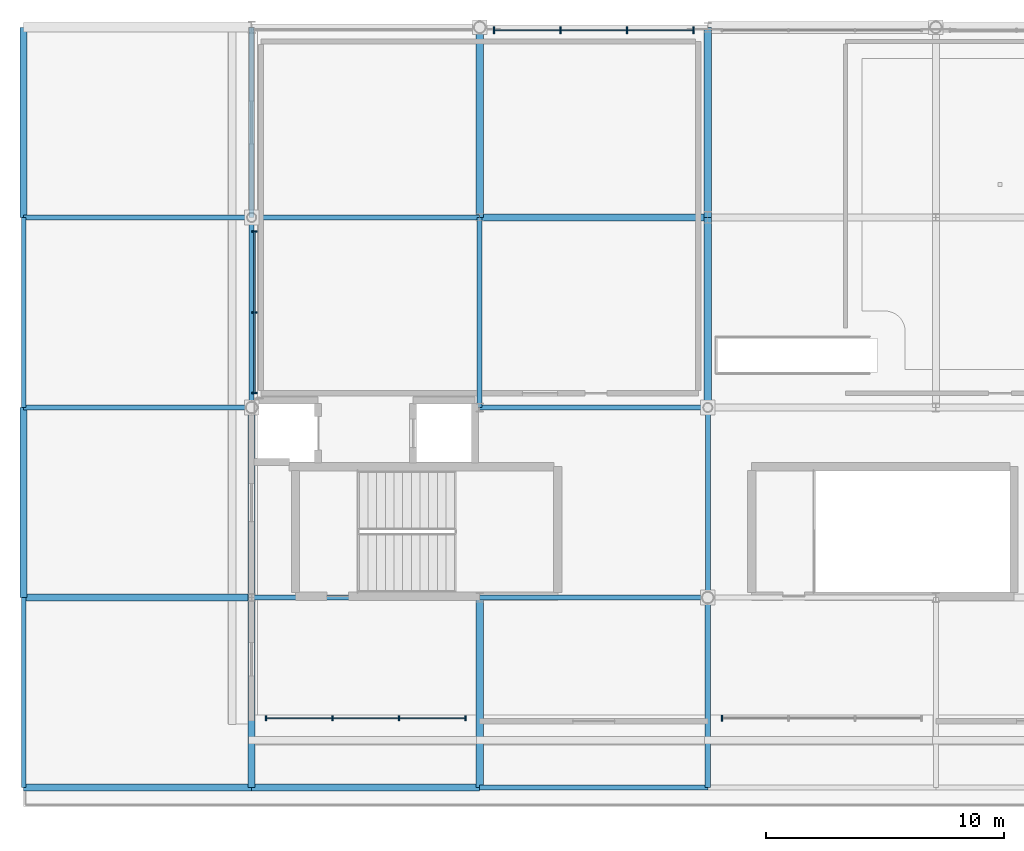
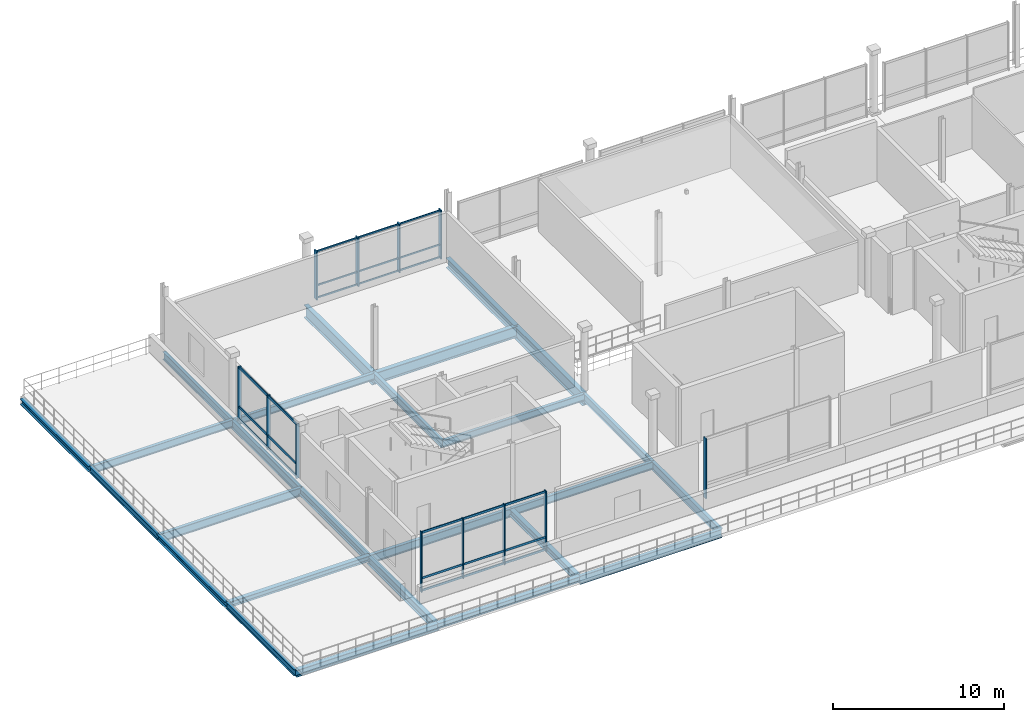
# One storey, part 5 of 26: 26 beams, 21 members, 4 elements without a shape of their own.
"""IFC4 building model written with IfcOpenShell, lengths in metres."""

import ifcopenshell
import ifcopenshell.guid

model = None  # the IFC model being written
_history = None  # IfcOwnerHistory: only IFC2X3 demands one
_inside = {}  # id of a spatial element -> (the spatial element, [elements in it])
_under = {}  # id of a project, library or spatial element -> (it, [spatial elements below it])
_declared = {}  # id of a project -> (the project, [libraries it declares])
_typed = {}  # id of a type object -> (the type object, [elements of that type])
_made_of = {}  # id of a material, layer set ... -> (it, [elements and type objects made of it])


def new_model(schema):
    """Start an empty IFC model of exactly this schema.

    Asked for "IFC4X3", IfcOpenShell would pick the latest addendum, in which some entities
    have other attributes; the version numbers below select the first issue.
    IFC2X3 requires an IfcOwnerHistory on every rooted entity: one is made here for all.
    """
    global model, _history
    if schema == "IFC4X3":
        model = ifcopenshell.file(schema_version=(4, 3, 0, 0))
    else:
        model = ifcopenshell.file(schema=schema)
    _inside.clear()
    _under.clear()
    _declared.clear()
    _typed.clear()
    _made_of.clear()
    _history = None
    if model.schema == "IFC2X3":
        org = make("IfcOrganization", Name="unknown")
        user = make(
            "IfcPersonAndOrganization",
            ThePerson=make("IfcPerson", FamilyName="unknown"),
            TheOrganization=org,
        )
        app = make(
            "IfcApplication",
            ApplicationDeveloper=org,
            Version="unknown",
            ApplicationFullName="unknown",
            ApplicationIdentifier="unknown",
        )
        _history = make(
            "IfcOwnerHistory",
            OwningUser=user,
            OwningApplication=app,
            ChangeAction="ADDED",
            CreationDate=0,
        )
    return model


def make(cls, **values):
    """One entity of the class cls with the attributes given. An attribute that is None is left unset."""
    return model.create_entity(
        cls, **{name: value for name, value in values.items() if value is not None}
    )


def rooted(cls, **values):
    """An entity with a GlobalId (a new one), such as an element, a storey or a relation."""
    return make(cls, GlobalId=ifcopenshell.guid.new(), OwnerHistory=_history, **values)


def si_unit(unit_type, name, prefix=None):
    """IfcSIUnit, for example si_unit("LENGTHUNIT", "METRE", prefix="MILLI")."""
    return make("IfcSIUnit", UnitType=unit_type, Prefix=prefix, Name=name)


def assignment(units):
    """IfcUnitAssignment: the units of a project."""
    return None if units is None else make("IfcUnitAssignment", Units=units)


def point(xyz):
    """IfcCartesianPoint."""
    return None if xyz is None else make("IfcCartesianPoint", Coordinates=xyz)


def direction(xyz):
    """IfcDirection."""
    return None if xyz is None else make("IfcDirection", DirectionRatios=xyz)


def frame(location, z_axis=None, x_axis=None):
    """IfcAxis2Placement3D, a coordinate frame: its origin and axes. An axis left out is left unset."""
    return make(
        "IfcAxis2Placement3D",
        Location=point(location),
        Axis=direction(z_axis),
        RefDirection=direction(x_axis),
    )


def frame_2d(location, x_axis=None):
    """IfcAxis2Placement2D, a coordinate frame in the plane: its origin and x axis."""
    return make(
        "IfcAxis2Placement2D", Location=point(location), RefDirection=direction(x_axis)
    )


def origin():
    """The frame at (0, 0, 0) with its axes left unset."""
    return frame((0.0, 0.0, 0.0))


def origin_2d():
    """The frame at (0, 0) in the plane with its x axis left unset."""
    return frame_2d((0.0, 0.0))


def place(relative_to, where):
    """IfcLocalPlacement: puts the frame where relative to a parent placement (None: the world)."""
    return make(
        "IfcLocalPlacement", PlacementRelTo=relative_to, RelativePlacement=where
    )


def context(
    kind, dimensions, precision=None, world=None, true_north=None, identifier=None
):
    """IfcGeometricRepresentationContext, for example the 3D "Model" context."""
    return make(
        "IfcGeometricRepresentationContext",
        ContextIdentifier=identifier,
        ContextType=kind,
        CoordinateSpaceDimension=dimensions,
        Precision=precision,
        WorldCoordinateSystem=world,
        TrueNorth=true_north,
    )


def subcontext(parent, identifier, kind, view, scale=None):
    """IfcGeometricRepresentationSubContext, for example "Body" below "Model"."""
    return make(
        "IfcGeometricRepresentationSubContext",
        ContextIdentifier=identifier,
        ContextType=kind,
        ParentContext=parent,
        TargetScale=scale,
        TargetView=view,
    )


def project(units=None, contexts=None):
    """IfcProject with its units and contexts."""
    return rooted(
        "IfcProject",
        Name="project",
        RepresentationContexts=contexts,
        UnitsInContext=assignment(units),
    )


def spatial(cls, under=None, at=None, **own):
    """A site, building, storey or space (cls), placed at a placement, below another one or the project."""
    s = rooted(cls, ObjectPlacement=at, **own)
    if under is not None:
        _under.setdefault(under.id(), (under, []))[1].append(s)
    return s


def profile(cls, at=None, kind="AREA", **sizes):
    """A parametric profile (cls). Its sizes go by their IFC names, for example OverallWidth=200.0."""
    return make(cls, ProfileType=kind, Position=at, **sizes)


def rectangle(**sizes):
    """IfcRectangleProfileDef."""
    return profile("IfcRectangleProfileDef", **sizes)


def i_section(**sizes):
    """IfcIShapeProfileDef."""
    return profile("IfcIShapeProfileDef", **sizes)


def extrude(swept, where, along, depth):
    """IfcExtrudedAreaSolid: the profile swept, set in the frame where, extruded along a direction by depth."""
    return make(
        "IfcExtrudedAreaSolid",
        SweptArea=swept,
        Position=where,
        ExtrudedDirection=direction(along),
        Depth=depth,
    )


def shape(context_of_items, identifier, shape_type, items):
    """IfcShapeRepresentation: the items that make up one representation, for example the "Body"."""
    return make(
        "IfcShapeRepresentation",
        ContextOfItems=context_of_items,
        RepresentationIdentifier=identifier,
        RepresentationType=shape_type,
        Items=items,
    )


def material(Name=None, Category=None):
    """IfcMaterial."""
    return make("IfcMaterial", Name=Name, Category=Category)


def material_profile(
    of_material, cross_section, Name=None, Category=None, Priority=None
):
    """IfcMaterialProfile: a cross section and its material."""
    return make(
        "IfcMaterialProfile",
        Name=Name,
        Material=of_material,
        Profile=cross_section,
        Priority=Priority,
        Category=Category,
    )


def profile_set(profiles, Name=None, composite=None):
    """IfcMaterialProfileSet."""
    return make(
        "IfcMaterialProfileSet",
        Name=Name,
        MaterialProfiles=profiles,
        CompositeProfile=composite,
    )


def made_of(thing, what):
    """Note that an element or type object is made of a material, layer set ...; save() writes the relation."""
    if what is not None:
        _made_of.setdefault(what.id(), (what, []))[1].append(thing)
    return thing


def type_object(cls, material=None, **own):
    """A type object (cls), such as IfcWallType, which elements share."""
    return made_of(rooted(cls, **own), material)


def element(
    cls,
    number,
    at=None,
    inside=None,
    cuts=None,
    type_object=None,
    material=None,
    context=None,
    identifier="Body",
    shape_type=None,
    held_by="IfcProductDefinitionShape",
    body=None,
    shapes=None,
    **own,
):
    """One element of the class cls, such as IfcWall. Its Tag is "e" and its number.

    at: its placement. inside: the storey or other place that contains it. cuts: it is an
    opening in that element (IfcRelVoidsElement). A single representation is given by context,
    identifier, shape_type and body (its items); several are given by shapes. held_by: the class
    of the entity that holds the representations. save() writes the other relations.
    """
    e = rooted(cls, Tag="e%d" % number, ObjectPlacement=at, **own)
    if body is not None:
        shapes = [shape(context, identifier, shape_type, body)]
    if shapes is not None:
        e.Representation = make(held_by, Representations=shapes)
    if inside is not None:
        _inside.setdefault(inside.id(), (inside, []))[1].append(e)
    if cuts is not None:
        rooted(
            "IfcRelVoidsElement", RelatingBuildingElement=cuts, RelatedOpeningElement=e
        )
    if type_object is not None:
        _typed.setdefault(type_object.id(), (type_object, []))[1].append(e)
    return made_of(e, material)


def aggregate(whole, parts):
    """IfcRelAggregates: a whole, such as a stair, and the parts it consists of."""
    return rooted("IfcRelAggregates", RelatingObject=whole, RelatedObjects=parts)


def save(model, path):
    """Write the relations noted so far, then the file.

    IfcRelAggregates (storeys below a building ...), IfcRelContainedInSpatialStructure (elements
    in a storey), IfcRelDefinesByType, IfcRelAssociatesMaterial and IfcRelDeclares: one each for
    every whole, place, type object, material and project.
    """
    for whole, parts in _under.values():
        aggregate(whole, parts)
    for where, things in _inside.values():
        rooted(
            "IfcRelContainedInSpatialStructure",
            RelatedElements=things,
            RelatingStructure=where,
        )
    for kind, things in _typed.values():
        rooted("IfcRelDefinesByType", RelatedObjects=things, RelatingType=kind)
    for what, things in _made_of.values():
        rooted("IfcRelAssociatesMaterial", RelatedObjects=things, RelatingMaterial=what)
    for by, libraries in _declared.values():
        rooted("IfcRelDeclares", RelatingContext=by, RelatedDefinitions=libraries)
    model.write(path)


model = new_model("IFC4")

# Units and contexts
model_context = context("Model", 3, precision=1e-05, world=origin(), true_north=direction((0.0, 1.0)))
body_context = subcontext(model_context, "Body", "Model", "MODEL_VIEW")
ifc_project = project(units=[si_unit("LENGTHUNIT", "METRE"), si_unit("AREAUNIT", "SQUARE_METRE"), si_unit("VOLUMEUNIT", "CUBIC_METRE"), si_unit("PLANEANGLEUNIT", "RADIAN"), si_unit("MASSUNIT", "GRAM", prefix="KILO")], contexts=[model_context])

# Site, building, storey
site_placement = place(None, origin())
site = spatial("IfcSite", under=ifc_project, at=site_placement, CompositionType="ELEMENT")
building_placement = place(site_placement, origin())
building = spatial("IfcBuilding", under=site, at=building_placement, Name="Danafjord Basin Convention Centre", CompositionType="ELEMENT")
storey_placement = place(building_placement, frame((0.0, 0.0, 24.89990234375)))
storey = spatial("IfcBuildingStorey", under=building, at=storey_placement, Name="L05", CompositionType="ELEMENT", Elevation=24.89990234375)

# Beams
ifc_material_1 = material(Name="Steel S355", Category="steel")
ifc_material_profile_1 = material_profile(ifc_material_1, i_section(OverallWidth=0.300048828125, OverallDepth=0.389892578125, WebThickness=0.010986328125, FlangeThickness=0.01904296875, FilletRadius=0.027099609375, at=origin_2d()), Name="HEA 400")
ifc_profile_set_1 = profile_set([ifc_material_profile_1], Name="Steel S355")
beam_type_1 = type_object("IfcBeamType", Name="BEAM-BM-HEA400", PredefinedType="BEAM", material=ifc_profile_set_1)
beam_1_placement = place(storey_placement, frame((0.0, 16.0, -0.434814453125), z_axis=(1.0, 0.0, 0.0), x_axis=(0.0, 1.0, 0.0)))
element("IfcBeam", 1, at=beam_1_placement, inside=storey, type_object=beam_type_1, Name="L05 girder BM-HEA400", PredefinedType="BEAM", context=body_context, shape_type="SweptSolid", body=[
    extrude(i_section(OverallWidth=0.300048828125, OverallDepth=0.389892578125, WebThickness=0.010986328125, FlangeThickness=0.01904296875, FilletRadius=0.027099609375, at=origin_2d()), origin(), (0.0, 0.0, 1.0), 9.60009765625),
])
beam_2_placement = place(storey_placement, frame((9.60009765625, 8.0, -0.434814453125), z_axis=(1.0, 0.0, 0.0), x_axis=(0.0, 1.0, 0.0)))
element("IfcBeam", 2, at=beam_2_placement, inside=storey, type_object=beam_type_1, Name="L05 girder BM-HEA400", PredefinedType="BEAM", context=body_context, shape_type="SweptSolid", body=[
    extrude(i_section(OverallWidth=0.300048828125, OverallDepth=0.389892578125, WebThickness=0.010986328125, FlangeThickness=0.01904296875, FilletRadius=0.027099609375, at=origin_2d()), origin(), (0.0, 0.0, 1.0), 9.599853515625),
])
ifc_material_profile_2 = material_profile(ifc_material_1, i_section(OverallWidth=0.300048828125, OverallDepth=0.489990234375, WebThickness=0.011962890625, FlangeThickness=0.02294921875, FilletRadius=0.027099609375, at=origin_2d()), Name="HEA 500")
ifc_profile_set_2 = profile_set([ifc_material_profile_2], Name="Steel S355")
beam_type_2 = type_object("IfcBeamType", Name="BEAM-BM-HEA500", PredefinedType="BEAM", material=ifc_profile_set_2)
beam_3_placement = place(storey_placement, frame((0.0, 8.0, -0.48486328125), z_axis=(1.0, 0.0, 0.0), x_axis=(0.0, 1.0, 0.0)))
element("IfcBeam", 3, at=beam_3_placement, inside=storey, type_object=beam_type_2, Name="L05 girder BM-HEA500", PredefinedType="BEAM", context=body_context, shape_type="SweptSolid", body=[
    extrude(i_section(OverallWidth=0.300048828125, OverallDepth=0.489990234375, WebThickness=0.011962890625, FlangeThickness=0.02294921875, FilletRadius=0.027099609375, at=origin_2d()), origin(), (0.0, 0.0, 1.0), 9.60009765625),
])
ifc_material_profile_3 = material_profile(ifc_material_1, i_section(OverallWidth=0.300048828125, OverallDepth=0.5, WebThickness=0.014404296875, FlangeThickness=0.028076171875, FilletRadius=0.027099609375, at=origin_2d()), Name="HEB 500")
ifc_profile_set_3 = profile_set([ifc_material_profile_3], Name="Steel S355")
beam_type_3 = type_object("IfcBeamType", Name="BEAM-BM-HEB500", PredefinedType="BEAM", material=ifc_profile_set_3)
for number, where, z_axis, x_axis, name in (
    (4, (9.60009765625, 16.0, -0.5), (0.0, 1.0, 0.0), (-1.0, 0.0, 0.0), "L05 transverse girder BM-HEB500"),
    (5, (19.199951171875, 8.0, -0.5), (0.0, 1.0, 0.0), (-1.0, 0.0, 0.0), "L05 transverse girder BM-HEB500"),
):
    element("IfcBeam", number, at=place(storey_placement, frame(where, z_axis=z_axis, x_axis=x_axis)), inside=storey, type_object=beam_type_3, Name=name, PredefinedType="BEAM", context=body_context, shape_type="SweptSolid", body=[
        extrude(i_section(OverallWidth=0.300048828125, OverallDepth=0.5, WebThickness=0.014404296875, FlangeThickness=0.028076171875, FilletRadius=0.027099609375, at=origin_2d()), origin(), (0.0, 0.0, 1.0), 8.0),
    ])
ifc_material_profile_4 = material_profile(ifc_material_1, i_section(OverallWidth=0.300048828125, OverallDepth=0.60009765625, WebThickness=0.015380859375, FlangeThickness=0.030029296875, FilletRadius=0.027099609375, at=origin_2d()), Name="HEB 600")
ifc_profile_set_4 = profile_set([ifc_material_profile_4], Name="Steel S355")
beam_type_4 = type_object("IfcBeamType", Name="BEAM-BM-HEB600", PredefinedType="BEAM", material=ifc_profile_set_4)
beam_4_placement = place(storey_placement, frame((9.60009765625, 8.0, -0.5498046875), z_axis=(0.0, 1.0, 0.0), x_axis=(-1.0, 0.0, 0.0)))
element("IfcBeam", 6, at=beam_4_placement, inside=storey, type_object=beam_type_4, Name="L05 transverse girder BM-HEB600", PredefinedType="BEAM", context=body_context, shape_type="SweptSolid", body=[
    extrude(i_section(OverallWidth=0.300048828125, OverallDepth=0.60009765625, WebThickness=0.015380859375, FlangeThickness=0.030029296875, FilletRadius=0.027099609375, at=origin_2d()), origin(), (0.0, 0.0, 1.0), 8.0),
])
ifc_material_profile_5 = material_profile(ifc_material_1, i_section(OverallWidth=0.300048828125, OverallDepth=0.699951171875, WebThickness=0.01708984375, FlangeThickness=0.031982421875, FilletRadius=0.027099609375, at=origin_2d()), Name="HEB 700")
ifc_profile_set_5 = profile_set([ifc_material_profile_5], Name="Steel S355")
beam_type_5 = type_object("IfcBeamType", Name="BEAM-BM-HEB700", PredefinedType="BEAM", material=ifc_profile_set_5)
beam_5_placement = place(storey_placement, frame((28.800048828125, 32.0, -0.599853515625), z_axis=(0.0, 1.0, 0.0), x_axis=(-1.0, 0.0, 0.0)))
element("IfcBeam", 7, at=beam_5_placement, inside=storey, type_object=beam_type_5, Name="L05 transverse girder BM-HEB700", PredefinedType="BEAM", context=body_context, shape_type="SweptSolid", body=[
    extrude(i_section(OverallWidth=0.300048828125, OverallDepth=0.699951171875, WebThickness=0.01708984375, FlangeThickness=0.031982421875, FilletRadius=0.027099609375, at=origin_2d()), origin(), (0.0, 0.0, 1.0), 8.0),
])
ifc_material_profile_6 = material_profile(ifc_material_1, i_section(OverallWidth=0.300048828125, OverallDepth=0.800048828125, WebThickness=0.017578125, FlangeThickness=0.032958984375, FilletRadius=0.030029296875, at=origin_2d()), Name="HEB 800")
ifc_profile_set_6 = profile_set([ifc_material_profile_6], Name="Steel S355")
beam_type_6 = type_object("IfcBeamType", Name="BEAM-BM-HEB800", PredefinedType="BEAM", material=ifc_profile_set_6)
beam_6_placement = place(storey_placement, frame((19.199951171875, 32.0, -0.64990234375), z_axis=(1.0, 0.0, 0.0), x_axis=(0.0, 1.0, 0.0)))
element("IfcBeam", 8, at=beam_6_placement, inside=storey, type_object=beam_type_6, Name="L05 girder BM-HEB800", PredefinedType="BEAM", context=body_context, shape_type="SweptSolid", body=[
    extrude(i_section(OverallWidth=0.300048828125, OverallDepth=0.800048828125, WebThickness=0.017578125, FlangeThickness=0.032958984375, FilletRadius=0.030029296875, at=origin_2d()), origin(), (0.0, 0.0, 1.0), 9.60009765625),
])
ifc_material_profile_7 = material_profile(ifc_material_1, i_section(OverallWidth=0.300048828125, OverallDepth=0.89990234375, WebThickness=0.0185546875, FlangeThickness=0.034912109375, FilletRadius=0.030029296875, at=origin_2d()), Name="HEB 900")
ifc_profile_set_7 = profile_set([ifc_material_profile_7], Name="Steel S355")
beam_type_7 = type_object("IfcBeamType", Name="BEAM-BM-HEB900", PredefinedType="BEAM", material=ifc_profile_set_7)
for number, where, z_axis, x_axis, name in (
    (9, (19.199951171875, 32.0, -0.699951171875), (0.0, 1.0, 0.0), (-1.0, 0.0, 0.0), "L05 transverse girder BM-HEB900"),
    (10, (28.800048828125, 24.0, -0.699951171875), (0.0, 1.0, 0.0), (-1.0, 0.0, 0.0), "L05 transverse girder BM-HEB900"),
):
    element("IfcBeam", number, at=place(storey_placement, frame(where, z_axis=z_axis, x_axis=x_axis)), inside=storey, type_object=beam_type_7, Name=name, PredefinedType="BEAM", context=body_context, shape_type="SweptSolid", body=[
        extrude(i_section(OverallWidth=0.300048828125, OverallDepth=0.89990234375, WebThickness=0.0185546875, FlangeThickness=0.034912109375, FilletRadius=0.030029296875, at=origin_2d()), origin(), (0.0, 0.0, 1.0), 8.0),
    ])
ifc_material_profile_8 = material_profile(ifc_material_1, i_section(OverallWidth=0.199951171875, OverallDepth=0.5, WebThickness=0.01025390625, FlangeThickness=0.01611328125, FilletRadius=0.02099609375, at=origin_2d()), Name="IPE 500")
ifc_profile_set_8 = profile_set([ifc_material_profile_8], Name="Steel S355")
beam_type_8 = type_object("IfcBeamType", Name="BEAM-BM-IPE500", PredefinedType="BEAM", material=ifc_profile_set_8)
beam_7_placement = place(storey_placement, frame((9.60009765625, 32.0, -0.5), z_axis=(1.0, 0.0, 0.0), x_axis=(0.0, 1.0, 0.0)))
element("IfcBeam", 11, at=beam_7_placement, inside=storey, type_object=beam_type_8, Name="L05 girder BM-IPE500", PredefinedType="BEAM", context=body_context, shape_type="SweptSolid", body=[
    extrude(i_section(OverallWidth=0.199951171875, OverallDepth=0.5, WebThickness=0.01025390625, FlangeThickness=0.01611328125, FilletRadius=0.02099609375, at=origin_2d()), origin(), (0.0, 0.0, 1.0), 9.599853515625),
])
beam_8_placement = place(storey_placement, frame((19.199951171875, 24.0, -0.5), z_axis=(1.0, 0.0, 0.0), x_axis=(0.0, 1.0, 0.0)))
element("IfcBeam", 12, at=beam_8_placement, inside=storey, type_object=beam_type_8, Name="L05 girder BM-IPE500", PredefinedType="BEAM", context=body_context, shape_type="SweptSolid", body=[
    extrude(i_section(OverallWidth=0.199951171875, OverallDepth=0.5, WebThickness=0.01025390625, FlangeThickness=0.01611328125, FilletRadius=0.02099609375, at=origin_2d()), origin(), (0.0, 0.0, 1.0), 9.60009765625),
])
ifc_material_profile_9 = material_profile(ifc_material_1, i_section(OverallWidth=0.2099609375, OverallDepth=0.550048828125, WebThickness=0.010986328125, FlangeThickness=0.01708984375, FilletRadius=0.02392578125, at=origin_2d()), Name="IPE 550")
ifc_profile_set_9 = profile_set([ifc_material_profile_9], Name="Steel S355")
beam_type_9 = type_object("IfcBeamType", Name="BEAM-BM-IPE550", PredefinedType="BEAM", material=ifc_profile_set_9)
for number, where, z_axis, x_axis, name in (
    (13, (0.0, 32.0, -0.514892578125), (1.0, 0.0, 0.0), (0.0, 1.0, 0.0), "L05 girder BM-IPE550"),
    (14, (19.199951171875, 16.0, -0.52490234375), (1.0, 0.0, 0.0), (0.0, 1.0, 0.0), "L05 girder BM-IPE550"),
):
    element("IfcBeam", number, at=place(storey_placement, frame(where, z_axis=z_axis, x_axis=x_axis)), inside=storey, type_object=beam_type_9, Name=name, PredefinedType="BEAM", context=body_context, shape_type="SweptSolid", body=[
        extrude(i_section(OverallWidth=0.2099609375, OverallDepth=0.550048828125, WebThickness=0.010986328125, FlangeThickness=0.01708984375, FilletRadius=0.02392578125, at=origin_2d()), origin(), (0.0, 0.0, 1.0), 9.60009765625),
    ])
for number, where, z_axis, x_axis, name in (
    (15, (9.60009765625, 32.0, -0.52490234375), (0.0, 1.0, 0.0), (-1.0, 0.0, 0.0), "L05 transverse girder BM-IPE550"),
    (16, (19.199951171875, 24.0, -0.52490234375), (0.0, 1.0, 0.0), (-1.0, 0.0, 0.0), "L05 transverse girder BM-IPE550"),
    (17, (28.800048828125, 16.0, -0.52490234375), (0.0, 1.0, 0.0), (-1.0, 0.0, 0.0), "L05 transverse girder BM-IPE550"),
):
    element("IfcBeam", number, at=place(storey_placement, frame(where, z_axis=z_axis, x_axis=x_axis)), inside=storey, type_object=beam_type_9, Name=name, PredefinedType="BEAM", context=body_context, shape_type="SweptSolid", body=[
        extrude(i_section(OverallWidth=0.2099609375, OverallDepth=0.550048828125, WebThickness=0.010986328125, FlangeThickness=0.01708984375, FilletRadius=0.02392578125, at=origin_2d()), origin(), (0.0, 0.0, 1.0), 8.0),
    ])
ifc_material_profile_10 = material_profile(ifc_material_1, i_section(OverallWidth=0.219970703125, OverallDepth=0.60009765625, WebThickness=0.011962890625, FlangeThickness=0.01904296875, FilletRadius=0.02392578125, at=origin_2d()), Name="IPE 600")
ifc_profile_set_10 = profile_set([ifc_material_profile_10], Name="Steel S355")
beam_type_10 = type_object("IfcBeamType", Name="BEAM-BM-IPE600", PredefinedType="BEAM", material=ifc_profile_set_10)
beam_9_placement = place(storey_placement, frame((0.0, 24.0, -0.539794921875), z_axis=(1.0, 0.0, 0.0), x_axis=(0.0, 1.0, 0.0)))
element("IfcBeam", 18, at=beam_9_placement, inside=storey, type_object=beam_type_10, Name="L05 girder BM-IPE600", PredefinedType="BEAM", context=body_context, shape_type="SweptSolid", body=[
    extrude(i_section(OverallWidth=0.219970703125, OverallDepth=0.60009765625, WebThickness=0.011962890625, FlangeThickness=0.01904296875, FilletRadius=0.02392578125, at=origin_2d()), origin(), (0.0, 0.0, 1.0), 9.60009765625),
])
beam_10_placement = place(storey_placement, frame((9.60009765625, 16.0, -0.5498046875), z_axis=(1.0, 0.0, 0.0), x_axis=(0.0, 1.0, 0.0)))
element("IfcBeam", 19, at=beam_10_placement, inside=storey, type_object=beam_type_10, Name="L05 girder BM-IPE600", PredefinedType="BEAM", context=body_context, shape_type="SweptSolid", body=[
    extrude(i_section(OverallWidth=0.219970703125, OverallDepth=0.60009765625, WebThickness=0.011962890625, FlangeThickness=0.01904296875, FilletRadius=0.02392578125, at=origin_2d()), origin(), (0.0, 0.0, 1.0), 9.599853515625),
])
beam_11_placement = place(storey_placement, frame((19.199951171875, 8.0, -0.539794921875), z_axis=(1.0, 0.0, 0.0), x_axis=(0.0, 1.0, 0.0)))
element("IfcBeam", 20, at=beam_11_placement, inside=storey, type_object=beam_type_10, Name="L05 girder BM-IPE600", PredefinedType="BEAM", context=body_context, shape_type="SweptSolid", body=[
    extrude(i_section(OverallWidth=0.219970703125, OverallDepth=0.60009765625, WebThickness=0.011962890625, FlangeThickness=0.01904296875, FilletRadius=0.02392578125, at=origin_2d()), origin(), (0.0, 0.0, 1.0), 9.60009765625),
])
for number, where, z_axis, x_axis, name in (
    (21, (9.60009765625, 24.0, -0.5498046875), (0.0, 1.0, 0.0), (-1.0, 0.0, 0.0), "L05 transverse girder BM-IPE600"),
    (22, (28.800048828125, 8.0, -0.5498046875), (0.0, 1.0, 0.0), (-1.0, 0.0, 0.0), "L05 transverse girder BM-IPE600"),
):
    element("IfcBeam", number, at=place(storey_placement, frame(where, z_axis=z_axis, x_axis=x_axis)), inside=storey, type_object=beam_type_10, Name=name, PredefinedType="BEAM", context=body_context, shape_type="SweptSolid", body=[
        extrude(i_section(OverallWidth=0.219970703125, OverallDepth=0.60009765625, WebThickness=0.011962890625, FlangeThickness=0.01904296875, FilletRadius=0.02392578125, at=origin_2d()), origin(), (0.0, 0.0, 1.0), 8.0),
    ])
ifc_material_profile_11 = material_profile(ifc_material_1, i_section(OverallWidth=0.300048828125, OverallDepth=0.39990234375, WebThickness=0.013427734375, FlangeThickness=0.02392578125, FilletRadius=0.027099609375, at=origin_2d()), Name="HEB 400")
ifc_profile_set_11 = profile_set([ifc_material_profile_11], Name="Steel S355")
beam_type_11 = type_object("IfcBeamType", Name="BEAM-SP-HEB400", PredefinedType="SPANDREL", material=ifc_profile_set_11)
for number, where, z_axis, x_axis, name in (
    (23, (0.0, 16.0, -0.43994140625), (0.0, 1.0, 0.0), (-1.0, 0.0, 0.0), "L05 transverse girder SP-HEB400"),
    (24, (0.0, 32.0, -0.43994140625), (0.0, 1.0, 0.0), (-1.0, 0.0, 0.0), "L05 transverse girder SP-HEB400"),
):
    element("IfcBeam", number, at=place(storey_placement, frame(where, z_axis=z_axis, x_axis=x_axis)), inside=storey, type_object=beam_type_11, Name=name, PredefinedType="SPANDREL", context=body_context, shape_type="SweptSolid", body=[
        extrude(i_section(OverallWidth=0.300048828125, OverallDepth=0.39990234375, WebThickness=0.013427734375, FlangeThickness=0.02392578125, FilletRadius=0.027099609375, at=origin_2d()), origin(), (0.0, 0.0, 1.0), 8.0),
    ])
ifc_material_profile_12 = material_profile(ifc_material_1, i_section(OverallWidth=0.18994140625, OverallDepth=0.449951171875, WebThickness=0.009521484375, FlangeThickness=0.0146484375, FilletRadius=0.02099609375, at=origin_2d()), Name="IPE 450")
ifc_profile_set_12 = profile_set([ifc_material_profile_12], Name="Steel S355")
beam_type_12 = type_object("IfcBeamType", Name="BEAM-SP-IPE450", PredefinedType="SPANDREL", material=ifc_profile_set_12)
for number, where, z_axis, x_axis, name in (
    (25, (0.0, 8.0, -0.46484375), (0.0, 1.0, 0.0), (-1.0, 0.0, 0.0), "L05 transverse girder SP-IPE450"),
    (26, (0.0, 24.0, -0.46484375), (0.0, 1.0, 0.0), (-1.0, 0.0, 0.0), "L05 transverse girder SP-IPE450"),
):
    element("IfcBeam", number, at=place(storey_placement, frame(where, z_axis=z_axis, x_axis=x_axis)), inside=storey, type_object=beam_type_12, Name=name, PredefinedType="SPANDREL", context=body_context, shape_type="SweptSolid", body=[
        extrude(i_section(OverallWidth=0.18994140625, OverallDepth=0.449951171875, WebThickness=0.009521484375, FlangeThickness=0.0146484375, FilletRadius=0.02099609375, at=origin_2d()), origin(), (0.0, 0.0, 1.0), 8.0),
    ])

# Curtain wall, members
ifc_material_2 = material(Name="Anodised aluminium and triple glazing", Category="aluminium")
curtain_wall_type = type_object("IfcCurtainWallType", Name="CW-CW-TERR", PredefinedType="NOTDEFINED", material=ifc_material_2)
curtain_wall_1_placement = place(storey_placement, origin())
curtain_wall_1 = element("IfcCurtainWall", 27, at=curtain_wall_1_placement, inside=storey, type_object=curtain_wall_type, Name="L05 CW-TERR unitised curtain wall bay 37", PredefinedType="NOTDEFINED")
ifc_material_3 = material(Name="Anodised aluminium EN AW-6060", Category="aluminium")
ifc_material_profile_13 = material_profile(ifc_material_3, rectangle(XDim=0.06494140625, YDim=0.219970703125, at=origin_2d()), Name="MULL 65x220")
ifc_profile_set_13 = profile_set([ifc_material_profile_13], Name="Anodised aluminium EN AW-6060")
member_type_1 = type_object("IfcMemberType", Name="MEM-ML-220", PredefinedType="MULLION", material=ifc_profile_set_13)
member_1_placement = place(storey_placement, frame((10.199951171875, 10.919921875, -0.02490234375), z_axis=(0.0, 0.0, 1.0), x_axis=(1.0, 0.0, 0.0)))
member_1 = element("IfcMember", 28, at=member_1_placement, type_object=member_type_1, Name="CW-L05-037 mullion 1", PredefinedType="MULLION", context=body_context, shape_type="SweptSolid", body=[
    extrude(rectangle(XDim=0.06494140625, YDim=0.219970703125, at=origin_2d()), origin(), (0.0, 0.0, 1.0), 4.294921875),
])
member_2_placement = place(storey_placement, frame((13.0, 10.919921875, -0.02490234375), z_axis=(0.0, 0.0, 1.0), x_axis=(1.0, 0.0, 0.0)))
member_2 = element("IfcMember", 29, at=member_2_placement, type_object=member_type_1, Name="CW-L05-037 mullion 2", PredefinedType="MULLION", context=body_context, shape_type="SweptSolid", body=[
    extrude(rectangle(XDim=0.06494140625, YDim=0.219970703125, at=origin_2d()), origin(), (0.0, 0.0, 1.0), 4.294921875),
])
member_3_placement = place(storey_placement, frame((15.800048828125, 10.919921875, -0.02490234375), z_axis=(0.0, 0.0, 1.0), x_axis=(1.0, 0.0, 0.0)))
member_3 = element("IfcMember", 30, at=member_3_placement, type_object=member_type_1, Name="CW-L05-037 mullion 3", PredefinedType="MULLION", context=body_context, shape_type="SweptSolid", body=[
    extrude(rectangle(XDim=0.06494140625, YDim=0.219970703125, at=origin_2d()), origin(), (0.0, 0.0, 1.0), 4.294921875),
])
member_4_placement = place(storey_placement, frame((18.60009765625, 10.919921875, -0.02490234375), z_axis=(0.0, 0.0, 1.0), x_axis=(1.0, 0.0, 0.0)))
member_4 = element("IfcMember", 31, at=member_4_placement, type_object=member_type_1, Name="CW-L05-037 mullion 4", PredefinedType="MULLION", context=body_context, shape_type="SweptSolid", body=[
    extrude(rectangle(XDim=0.06494140625, YDim=0.219970703125, at=origin_2d()), origin(), (0.0, 0.0, 1.0), 4.294921875),
])

curtain_wall_2_placement = place(storey_placement, origin())
curtain_wall_2 = element("IfcCurtainWall", 32, at=curtain_wall_2_placement, inside=storey, type_object=curtain_wall_type, Name="L05 CW-TERR unitised curtain wall bay 107", PredefinedType="NOTDEFINED")
member_5_placement = place(storey_placement, frame((9.719970703125, 31.39990234375, -0.02490234375), z_axis=(0.0, 0.0, 1.0), x_axis=(0.0, -1.0, 0.0)))
member_5 = element("IfcMember", 33, at=member_5_placement, type_object=member_type_1, Name="CW-L05-107 mullion 1", PredefinedType="MULLION", context=body_context, shape_type="SweptSolid", body=[
    extrude(rectangle(XDim=0.06494140625, YDim=0.219970703125, at=origin_2d()), origin(), (0.0, 0.0, 1.0), 3.875),
])
member_6_placement = place(storey_placement, frame((9.719970703125, 28.0, -0.02490234375), z_axis=(0.0, 0.0, 1.0), x_axis=(0.0, -1.0, 0.0)))
member_6 = element("IfcMember", 34, at=member_6_placement, type_object=member_type_1, Name="CW-L05-107 mullion 2", PredefinedType="MULLION", context=body_context, shape_type="SweptSolid", body=[
    extrude(rectangle(XDim=0.06494140625, YDim=0.219970703125, at=origin_2d()), origin(), (0.0, 0.0, 1.0), 3.875),
])
member_7_placement = place(storey_placement, frame((9.719970703125, 24.60009765625, -0.02490234375), z_axis=(0.0, 0.0, 1.0), x_axis=(0.0, -1.0, 0.0)))
member_7 = element("IfcMember", 35, at=member_7_placement, type_object=member_type_1, Name="CW-L05-107 mullion 3", PredefinedType="MULLION", context=body_context, shape_type="SweptSolid", body=[
    extrude(rectangle(XDim=0.06494140625, YDim=0.219970703125, at=origin_2d()), origin(), (0.0, 0.0, 1.0), 3.875),
])

# Curtain wall, member
curtain_wall_3_placement = place(storey_placement, origin())
curtain_wall_3 = element("IfcCurtainWall", 36, at=curtain_wall_3_placement, inside=storey, type_object=curtain_wall_type, Name="L05 CW-TERR unitised curtain wall bay 38", PredefinedType="NOTDEFINED")
ifc_material_profile_14 = material_profile(ifc_material_3, rectangle(XDim=0.070068359375, YDim=0.260009765625, at=origin_2d()), Name="MULL 70x260")
ifc_profile_set_14 = profile_set([ifc_material_profile_14], Name="Anodised aluminium EN AW-6060")
member_type_2 = type_object("IfcMemberType", Name="MEM-ML-260", PredefinedType="MULLION", material=ifc_profile_set_14)
member_8_placement = place(storey_placement, frame((29.39990234375, 10.919921875, -0.02490234375), z_axis=(0.0, 0.0, 1.0), x_axis=(1.0, 0.0, 0.0)))
member_8 = element("IfcMember", 37, at=member_8_placement, type_object=member_type_2, Name="CW-L05-038 mullion 1", PredefinedType="MULLION", context=body_context, shape_type="SweptSolid", body=[
    extrude(rectangle(XDim=0.070068359375, YDim=0.260009765625, at=origin_2d()), origin(), (0.0, 0.0, 1.0), 4.294921875),
])
aggregate(curtain_wall_3, [member_8])

# Curtain wall, members
curtain_wall_4_placement = place(storey_placement, origin())
curtain_wall_4 = element("IfcCurtainWall", 38, at=curtain_wall_4_placement, inside=storey, type_object=curtain_wall_type, Name="L05 CW-TERR unitised curtain wall bay 99", PredefinedType="NOTDEFINED")
ifc_material_profile_15 = material_profile(ifc_material_3, rectangle(XDim=0.080078125, YDim=0.300048828125, at=origin_2d()), Name="MULL 80x300")
ifc_profile_set_15 = profile_set([ifc_material_profile_15], Name="Anodised aluminium EN AW-6060")
member_type_3 = type_object("IfcMemberType", Name="MEM-ML-300", PredefinedType="MULLION", material=ifc_profile_set_15)
member_9_placement = place(storey_placement, frame((28.199951171875, 39.8798828125, -0.02490234375), z_axis=(0.0, 0.0, 1.0), x_axis=(-1.0, 0.0, 0.0)))
member_9 = element("IfcMember", 39, at=member_9_placement, type_object=member_type_3, Name="CW-L05-099 mullion 1", PredefinedType="MULLION", context=body_context, shape_type="SweptSolid", body=[
    extrude(rectangle(XDim=0.080078125, YDim=0.300048828125, at=origin_2d()), origin(), (0.0, 0.0, 1.0), 3.47509765625),
])
member_10_placement = place(storey_placement, frame((25.39990234375, 39.8798828125, -0.02490234375), z_axis=(0.0, 0.0, 1.0), x_axis=(-1.0, 0.0, 0.0)))
member_10 = element("IfcMember", 40, at=member_10_placement, type_object=member_type_3, Name="CW-L05-099 mullion 2", PredefinedType="MULLION", context=body_context, shape_type="SweptSolid", body=[
    extrude(rectangle(XDim=0.080078125, YDim=0.300048828125, at=origin_2d()), origin(), (0.0, 0.0, 1.0), 3.47509765625),
])
member_11_placement = place(storey_placement, frame((22.60009765625, 39.8798828125, -0.02490234375), z_axis=(0.0, 0.0, 1.0), x_axis=(-1.0, 0.0, 0.0)))
member_11 = element("IfcMember", 41, at=member_11_placement, type_object=member_type_3, Name="CW-L05-099 mullion 3", PredefinedType="MULLION", context=body_context, shape_type="SweptSolid", body=[
    extrude(rectangle(XDim=0.080078125, YDim=0.300048828125, at=origin_2d()), origin(), (0.0, 0.0, 1.0), 3.47509765625),
])
member_12_placement = place(storey_placement, frame((19.800048828125, 39.8798828125, -0.02490234375), z_axis=(0.0, 0.0, 1.0), x_axis=(-1.0, 0.0, 0.0)))
member_12 = element("IfcMember", 42, at=member_12_placement, type_object=member_type_3, Name="CW-L05-099 mullion 4", PredefinedType="MULLION", context=body_context, shape_type="SweptSolid", body=[
    extrude(rectangle(XDim=0.080078125, YDim=0.300048828125, at=origin_2d()), origin(), (0.0, 0.0, 1.0), 3.47509765625),
])
ifc_material_profile_16 = material_profile(ifc_material_3, rectangle(XDim=0.06005859375, YDim=0.110107421875, at=origin_2d()), Name="TRAN 60x110")
ifc_profile_set_16 = profile_set([ifc_material_profile_16], Name="Anodised aluminium EN AW-6060")
member_type_4 = type_object("IfcMemberType", Name="MEM-TR-110", PredefinedType="USERDEFINED", material=ifc_profile_set_16)
member_13_placement = place(storey_placement, frame((28.199951171875, 39.8798828125, 0.06005859375), z_axis=(-1.0, 0.0, 0.0), x_axis=(0.0, -1.0, 0.0)))
member_13 = element("IfcMember", 43, at=member_13_placement, type_object=member_type_4, Name="CW-L05-099 transom 1", ObjectType="TRANSOM", PredefinedType="USERDEFINED", context=body_context, shape_type="SweptSolid", body=[
    extrude(rectangle(XDim=0.06005859375, YDim=0.110107421875, at=origin_2d()), origin(), (0.0, 0.0, 1.0), 8.39990234375),
])
member_14_placement = place(storey_placement, frame((28.199951171875, 39.8798828125, 0.9501953125), z_axis=(-1.0, 0.0, 0.0), x_axis=(0.0, -1.0, 0.0)))
member_14 = element("IfcMember", 44, at=member_14_placement, type_object=member_type_4, Name="CW-L05-099 transom 2", ObjectType="TRANSOM", PredefinedType="USERDEFINED", context=body_context, shape_type="SweptSolid", body=[
    extrude(rectangle(XDim=0.06005859375, YDim=0.110107421875, at=origin_2d()), origin(), (0.0, 0.0, 1.0), 8.39990234375),
])
member_15_placement = place(storey_placement, frame((28.199951171875, 39.8798828125, 3.380126953125), z_axis=(-1.0, 0.0, 0.0), x_axis=(0.0, -1.0, 0.0)))
member_15 = element("IfcMember", 45, at=member_15_placement, type_object=member_type_4, Name="CW-L05-099 transom 3", ObjectType="TRANSOM", PredefinedType="USERDEFINED", context=body_context, shape_type="SweptSolid", body=[
    extrude(rectangle(XDim=0.06005859375, YDim=0.110107421875, at=origin_2d()), origin(), (0.0, 0.0, 1.0), 8.39990234375),
])
aggregate(curtain_wall_4, [member_9, member_10, member_11, member_12, member_13, member_14, member_15])

# Member
ifc_material_profile_17 = material_profile(ifc_material_3, rectangle(XDim=0.06005859375, YDim=0.14990234375, at=origin_2d()), Name="TRAN 60x150")
ifc_profile_set_17 = profile_set([ifc_material_profile_17], Name="Anodised aluminium EN AW-6060")
member_type_5 = type_object("IfcMemberType", Name="MEM-TR-150", PredefinedType="USERDEFINED", material=ifc_profile_set_17)
member_16_placement = place(storey_placement, frame((10.199951171875, 10.919921875, 0.06005859375), z_axis=(1.0, 0.0, 0.0), x_axis=(0.0, 1.0, 0.0)))
member_16 = element("IfcMember", 46, at=member_16_placement, type_object=member_type_5, Name="CW-L05-037 transom 1", ObjectType="TRANSOM", PredefinedType="USERDEFINED", context=body_context, shape_type="SweptSolid", body=[
    extrude(rectangle(XDim=0.06005859375, YDim=0.14990234375, at=origin_2d()), origin(), (0.0, 0.0, 1.0), 8.400146484375),
])

member_17_placement = place(storey_placement, frame((10.199951171875, 10.919921875, 0.9501953125), z_axis=(1.0, 0.0, 0.0), x_axis=(0.0, 1.0, 0.0)))
member_17 = element("IfcMember", 47, at=member_17_placement, type_object=member_type_5, Name="CW-L05-037 transom 2", ObjectType="TRANSOM", PredefinedType="USERDEFINED", context=body_context, shape_type="SweptSolid", body=[
    extrude(rectangle(XDim=0.06005859375, YDim=0.14990234375, at=origin_2d()), origin(), (0.0, 0.0, 1.0), 8.400146484375),
])

member_18_placement = place(storey_placement, frame((10.199951171875, 10.919921875, 4.2001953125), z_axis=(1.0, 0.0, 0.0), x_axis=(0.0, 1.0, 0.0)))
member_18 = element("IfcMember", 48, at=member_18_placement, type_object=member_type_5, Name="CW-L05-037 transom 3", ObjectType="TRANSOM", PredefinedType="USERDEFINED", context=body_context, shape_type="SweptSolid", body=[
    extrude(rectangle(XDim=0.06005859375, YDim=0.14990234375, at=origin_2d()), origin(), (0.0, 0.0, 1.0), 8.400146484375),
])

aggregate(curtain_wall_1, [member_1, member_2, member_3, member_4, member_16, member_17, member_18])

ifc_material_profile_18 = material_profile(ifc_material_3, rectangle(XDim=0.06494140625, YDim=0.18994140625, at=origin_2d()), Name="TRAN 65x190")
ifc_profile_set_18 = profile_set([ifc_material_profile_18], Name="Anodised aluminium EN AW-6060")
member_type_6 = type_object("IfcMemberType", Name="MEM-TR-190", PredefinedType="USERDEFINED", material=ifc_profile_set_18)
member_19_placement = place(storey_placement, frame((9.719970703125, 31.39990234375, 0.06005859375), z_axis=(0.0, -1.0, 0.0), x_axis=(1.0, 0.0, 0.0)))
member_19 = element("IfcMember", 49, at=member_19_placement, type_object=member_type_6, Name="CW-L05-107 transom 1", ObjectType="TRANSOM", PredefinedType="USERDEFINED", context=body_context, shape_type="SweptSolid", body=[
    extrude(rectangle(XDim=0.06494140625, YDim=0.18994140625, at=origin_2d()), origin(), (0.0, 0.0, 1.0), 6.7998046875),
])

member_20_placement = place(storey_placement, frame((9.719970703125, 31.39990234375, 0.9501953125), z_axis=(0.0, -1.0, 0.0), x_axis=(1.0, 0.0, 0.0)))
member_20 = element("IfcMember", 50, at=member_20_placement, type_object=member_type_6, Name="CW-L05-107 transom 2", ObjectType="TRANSOM", PredefinedType="USERDEFINED", context=body_context, shape_type="SweptSolid", body=[
    extrude(rectangle(XDim=0.06494140625, YDim=0.18994140625, at=origin_2d()), origin(), (0.0, 0.0, 1.0), 6.7998046875),
])

member_21_placement = place(storey_placement, frame((9.719970703125, 31.39990234375, 3.780029296875), z_axis=(0.0, -1.0, 0.0), x_axis=(1.0, 0.0, 0.0)))
member_21 = element("IfcMember", 51, at=member_21_placement, type_object=member_type_6, Name="CW-L05-107 transom 3", ObjectType="TRANSOM", PredefinedType="USERDEFINED", context=body_context, shape_type="SweptSolid", body=[
    extrude(rectangle(XDim=0.06494140625, YDim=0.18994140625, at=origin_2d()), origin(), (0.0, 0.0, 1.0), 6.7998046875),
])

aggregate(curtain_wall_2, [member_5, member_6, member_7, member_19, member_20, member_21])

save(model, "model.ifc")
